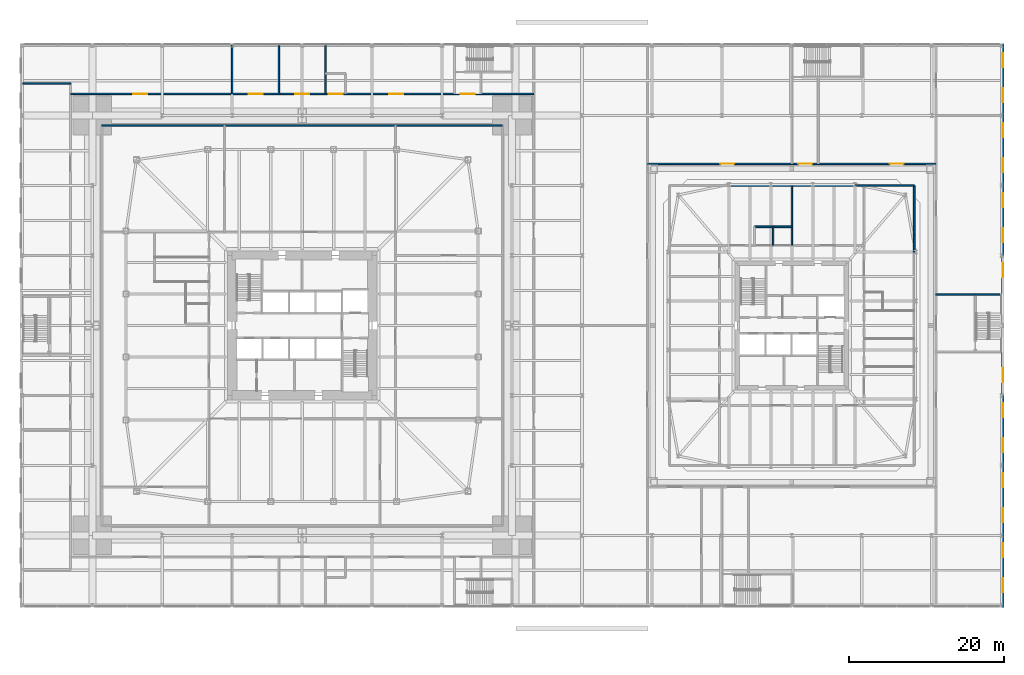
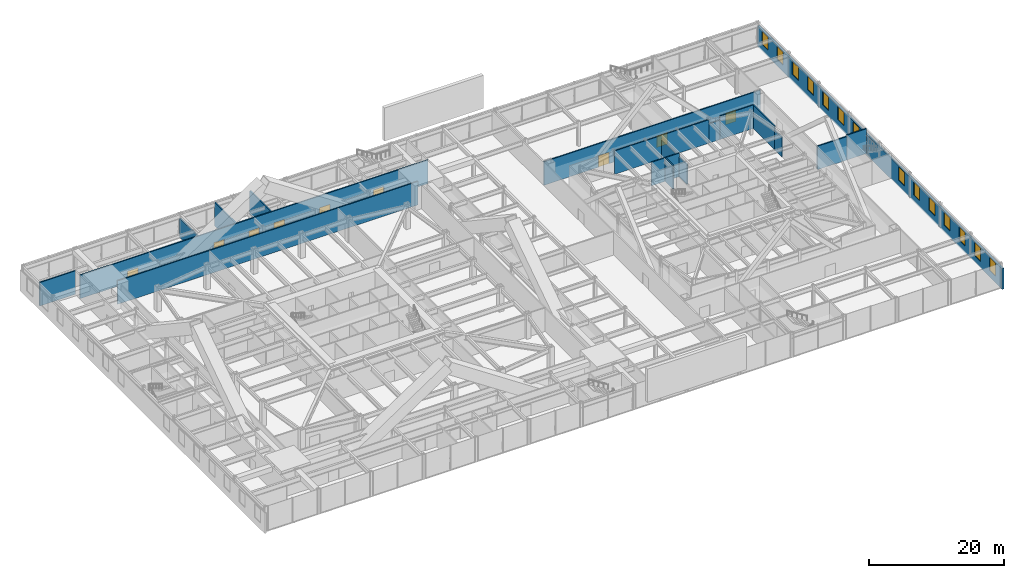
# One storey, part 27 of 32: 18 walls, 14 windows, 9 doors, 23 openings.
"""IFC4 building model written with IfcOpenShell, lengths in metres."""

from ifc_helpers import new_model, si_unit, direction, frame, frame_2d, origin, place, context, subcontext, project, spatial, rectangle, extrude, material, layer, layer_set, type_object, element, fill, save


model = new_model("IFC4")

# Units and contexts
model_context = context("Model", 3, precision=1e-05, world=origin(), true_north=direction((0.0, 1.0)))
body_context = subcontext(model_context, "Body", "Model", "MODEL_VIEW")
ifc_project = project(units=[si_unit("LENGTHUNIT", "METRE"), si_unit("AREAUNIT", "SQUARE_METRE"), si_unit("VOLUMEUNIT", "CUBIC_METRE"), si_unit("PLANEANGLEUNIT", "RADIAN"), si_unit("MASSUNIT", "GRAM", prefix="KILO")], contexts=[model_context])

# Site, building, storey
site_placement = place(None, origin())
site = spatial("IfcSite", under=ifc_project, at=site_placement, CompositionType="ELEMENT")
building_placement = place(site_placement, origin())
building = spatial("IfcBuilding", under=site, at=building_placement, Name="Iwan Alto Co-Living Towers", CompositionType="ELEMENT")
storey_placement = place(building_placement, frame((0.0, 0.0, 6.0)))
storey = spatial("IfcBuildingStorey", under=building, at=storey_placement, Name="L01", CompositionType="ELEMENT", Elevation=6.0)

# Wall, openings, windows
ifc_material_1 = material(Name="Fired clay brick facing", Category="masonry")
ifc_layer_1 = layer(ifc_material_1, 0.10009765625, Name="Brick facing", Category="Finish")
ifc_material_2 = material(Name="Concrete f'c 70 MPa", Category="concrete")
ifc_layer_2 = layer(ifc_material_2, 0.199951171875, Name="Reinforced concrete", Category="LoadBearing")
ifc_layer_set_1 = layer_set([ifc_layer_1, ifc_layer_2], Name="PODIUM BRICK WALL 300")
wall_type_1 = type_object("IfcWallType", Name="PODIUM BRICK WALL 300", PredefinedType="SOLIDWALL", material=ifc_layer_set_1)
wall_1_placement = place(storey_placement, frame((90.14990234375, -36.300048828125, -0.25), z_axis=(0.0, 0.0, 1.0), x_axis=(0.0, 1.0, 0.0)))
wall_1 = element("IfcWall", 1, at=wall_1_placement, inside=storey, type_object=wall_type_1, Name="Podium wall E L01", PredefinedType="SOLIDWALL", context=body_context, shape_type="SweptSolid", body=[
    extrude(rectangle(XDim=72.60009765625, YDim=0.300048828125, at=frame_2d((36.300048828125, 0.0))), origin(), (0.0, 0.0, 1.0), 3.73046875),
])
opening_1_placement = place(wall_1_placement, frame((2.0, 0.0, 1.14990234375)))
opening_1 = element("IfcOpeningElement", 2, at=opening_1_placement, cuts=wall_1, Name="Opening WN1", PredefinedType="OPENING", context=body_context, shape_type="SweptSolid", body=[
    extrude(rectangle(XDim=1.800048828125, YDim=2.39990234375, at=frame_2d((0.89990234375, 1.199951171875))), frame((0.0, 0.159912109375, 0.0), z_axis=(0.0, -1.0, 0.0), x_axis=(1.0, 0.0, 0.0)), (0.0, 0.0, 1.0), 0.320068359375),
])
opening_2_placement = place(wall_1_placement, frame((6.5, 0.0, 1.14990234375)))
opening_2 = element("IfcOpeningElement", 3, at=opening_2_placement, cuts=wall_1, Name="Opening WN1", PredefinedType="OPENING", context=body_context, shape_type="SweptSolid", body=[
    extrude(rectangle(XDim=1.800048828125, YDim=2.39990234375, at=frame_2d((0.89990234375, 1.199951171875))), frame((0.0, 0.159912109375, 0.0), z_axis=(0.0, -1.0, 0.0), x_axis=(1.0, 0.0, 0.0)), (0.0, 0.0, 1.0), 0.320068359375),
])
opening_3_placement = place(wall_1_placement, frame((11.0, 0.0, 1.14990234375)))
opening_3 = element("IfcOpeningElement", 4, at=opening_3_placement, cuts=wall_1, Name="Opening WN1", PredefinedType="OPENING", context=body_context, shape_type="SweptSolid", body=[
    extrude(rectangle(XDim=1.800048828125, YDim=2.39990234375, at=frame_2d((0.89990234375, 1.199951171875))), frame((0.0, 0.159912109375, 0.0), z_axis=(0.0, -1.0, 0.0), x_axis=(1.0, 0.0, 0.0)), (0.0, 0.0, 1.0), 0.320068359375),
])
opening_4_placement = place(wall_1_placement, frame((15.5, 0.0, 1.14990234375)))
opening_4 = element("IfcOpeningElement", 5, at=opening_4_placement, cuts=wall_1, Name="Opening WN1", PredefinedType="OPENING", context=body_context, shape_type="SweptSolid", body=[
    extrude(rectangle(XDim=1.800048828125, YDim=2.39990234375, at=frame_2d((0.89990234375, 1.199951171875))), frame((0.0, 0.159912109375, 0.0), z_axis=(0.0, -1.0, 0.0), x_axis=(1.0, 0.0, 0.0)), (0.0, 0.0, 1.0), 0.320068359375),
])
opening_5_placement = place(wall_1_placement, frame((20.0, 0.0, 1.14990234375)))
opening_5 = element("IfcOpeningElement", 6, at=opening_5_placement, cuts=wall_1, Name="Opening WN1", PredefinedType="OPENING", context=body_context, shape_type="SweptSolid", body=[
    extrude(rectangle(XDim=1.800048828125, YDim=2.39990234375, at=frame_2d((0.89990234375, 1.199951171875))), frame((0.0, 0.159912109375, 0.0), z_axis=(0.0, -1.0, 0.0), x_axis=(1.0, 0.0, 0.0)), (0.0, 0.0, 1.0), 0.320068359375),
])
opening_6_placement = place(wall_1_placement, frame((24.5, 0.0, 1.14990234375)))
opening_6 = element("IfcOpeningElement", 7, at=opening_6_placement, cuts=wall_1, Name="Opening WN1", PredefinedType="OPENING", context=body_context, shape_type="SweptSolid", body=[
    extrude(rectangle(XDim=1.800048828125, YDim=2.39990234375, at=frame_2d((0.89990234375, 1.199951171875))), frame((0.0, 0.159912109375, 0.0), z_axis=(0.0, -1.0, 0.0), x_axis=(1.0, 0.0, 0.0)), (0.0, 0.0, 1.0), 0.320068359375),
])
opening_7_placement = place(wall_1_placement, frame((29.0, 0.0, 1.14990234375)))
opening_7 = element("IfcOpeningElement", 8, at=opening_7_placement, cuts=wall_1, Name="Opening WN1", PredefinedType="OPENING", context=body_context, shape_type="SweptSolid", body=[
    extrude(rectangle(XDim=1.800048828125, YDim=2.39990234375, at=frame_2d((0.89990234375, 1.199951171875))), frame((0.0, 0.159912109375, 0.0), z_axis=(0.0, -1.0, 0.0), x_axis=(1.0, 0.0, 0.0)), (0.0, 0.0, 1.0), 0.320068359375),
])
opening_8_placement = place(wall_1_placement, frame((42.5, 0.0, 1.14990234375)))
opening_8 = element("IfcOpeningElement", 9, at=opening_8_placement, cuts=wall_1, Name="Opening WN1", PredefinedType="OPENING", context=body_context, shape_type="SweptSolid", body=[
    extrude(rectangle(XDim=1.800048828125, YDim=2.39990234375, at=frame_2d((0.89990234375, 1.199951171875))), frame((0.0, 0.159912109375, 0.0), z_axis=(0.0, -1.0, 0.0), x_axis=(1.0, 0.0, 0.0)), (0.0, 0.0, 1.0), 0.320068359375),
])
opening_9_placement = place(wall_1_placement, frame((47.0, 0.0, 1.14990234375)))
opening_9 = element("IfcOpeningElement", 10, at=opening_9_placement, cuts=wall_1, Name="Opening WN1", PredefinedType="OPENING", context=body_context, shape_type="SweptSolid", body=[
    extrude(rectangle(XDim=1.800048828125, YDim=2.39990234375, at=frame_2d((0.89990234375, 1.199951171875))), frame((0.0, 0.159912109375, 0.0), z_axis=(0.0, -1.0, 0.0), x_axis=(1.0, 0.0, 0.0)), (0.0, 0.0, 1.0), 0.320068359375),
])
opening_10_placement = place(wall_1_placement, frame((51.5, 0.0, 1.14990234375)))
opening_10 = element("IfcOpeningElement", 11, at=opening_10_placement, cuts=wall_1, Name="Opening WN1", PredefinedType="OPENING", context=body_context, shape_type="SweptSolid", body=[
    extrude(rectangle(XDim=1.800048828125, YDim=2.39990234375, at=frame_2d((0.89990234375, 1.199951171875))), frame((0.0, 0.159912109375, 0.0), z_axis=(0.0, -1.0, 0.0), x_axis=(1.0, 0.0, 0.0)), (0.0, 0.0, 1.0), 0.320068359375),
])
opening_11_placement = place(wall_1_placement, frame((56.0, 0.0, 1.14990234375)))
opening_11 = element("IfcOpeningElement", 12, at=opening_11_placement, cuts=wall_1, Name="Opening WN1", PredefinedType="OPENING", context=body_context, shape_type="SweptSolid", body=[
    extrude(rectangle(XDim=1.800048828125, YDim=2.39990234375, at=frame_2d((0.89990234375, 1.199951171875))), frame((0.0, 0.159912109375, 0.0), z_axis=(0.0, -1.0, 0.0), x_axis=(1.0, 0.0, 0.0)), (0.0, 0.0, 1.0), 0.320068359375),
])
opening_12_placement = place(wall_1_placement, frame((60.5, 0.0, 1.14990234375)))
opening_12 = element("IfcOpeningElement", 13, at=opening_12_placement, cuts=wall_1, Name="Opening WN1", PredefinedType="OPENING", context=body_context, shape_type="SweptSolid", body=[
    extrude(rectangle(XDim=1.800048828125, YDim=2.39990234375, at=frame_2d((0.89990234375, 1.199951171875))), frame((0.0, 0.159912109375, 0.0), z_axis=(0.0, -1.0, 0.0), x_axis=(1.0, 0.0, 0.0)), (0.0, 0.0, 1.0), 0.320068359375),
])
opening_13_placement = place(wall_1_placement, frame((65.0, 0.0, 1.14990234375)))
opening_13 = element("IfcOpeningElement", 14, at=opening_13_placement, cuts=wall_1, Name="Opening WN1", PredefinedType="OPENING", context=body_context, shape_type="SweptSolid", body=[
    extrude(rectangle(XDim=1.800048828125, YDim=2.39990234375, at=frame_2d((0.89990234375, 1.199951171875))), frame((0.0, 0.159912109375, 0.0), z_axis=(0.0, -1.0, 0.0), x_axis=(1.0, 0.0, 0.0)), (0.0, 0.0, 1.0), 0.320068359375),
])
opening_14_placement = place(wall_1_placement, frame((69.5, 0.0, 1.14990234375)))
opening_14 = element("IfcOpeningElement", 15, at=opening_14_placement, cuts=wall_1, Name="Opening WN1", PredefinedType="OPENING", context=body_context, shape_type="SweptSolid", body=[
    extrude(rectangle(XDim=1.800048828125, YDim=2.39990234375, at=frame_2d((0.89990234375, 1.199951171875))), frame((0.0, 0.159912109375, 0.0), z_axis=(0.0, -1.0, 0.0), x_axis=(1.0, 0.0, 0.0)), (0.0, 0.0, 1.0), 0.320068359375),
])
ifc_material_3 = material(Name="Bronze aluminium window frame", Category="aluminium")
window_type = type_object("IfcWindowType", Name="WN1 PODIUM WINDOW 1800X2400", PartitioningType="SINGLE_PANEL", PredefinedType="WINDOW", material=ifc_material_3)
window_1_placement = place(opening_1_placement, origin())
window_1 = element("IfcWindow", 16, at=window_1_placement, inside=storey, type_object=window_type, Name="Podium window", OverallHeight=2.39990234375, OverallWidth=1.800048828125, PartitioningType="SINGLE_PANEL", PredefinedType="WINDOW", context=body_context, shape_type="SweptSolid", body=[
    extrude(rectangle(XDim=1.800048828125, YDim=2.39990234375, at=frame_2d((0.89990234375, 1.199951171875))), frame((0.0, 0.030029296875, 0.0), z_axis=(0.0, -1.0, 0.0), x_axis=(1.0, 0.0, 0.0)), (0.0, 0.0, 1.0), 0.06005859375),
])
fill(opening_1, window_1)
window_2_placement = place(opening_2_placement, origin())
window_2 = element("IfcWindow", 17, at=window_2_placement, inside=storey, type_object=window_type, Name="Podium window", OverallHeight=2.39990234375, OverallWidth=1.800048828125, PartitioningType="SINGLE_PANEL", PredefinedType="WINDOW", context=body_context, shape_type="SweptSolid", body=[
    extrude(rectangle(XDim=1.800048828125, YDim=2.39990234375, at=frame_2d((0.89990234375, 1.199951171875))), frame((0.0, 0.030029296875, 0.0), z_axis=(0.0, -1.0, 0.0), x_axis=(1.0, 0.0, 0.0)), (0.0, 0.0, 1.0), 0.06005859375),
])
fill(opening_2, window_2)
window_3_placement = place(opening_3_placement, origin())
window_3 = element("IfcWindow", 18, at=window_3_placement, inside=storey, type_object=window_type, Name="Podium window", OverallHeight=2.39990234375, OverallWidth=1.800048828125, PartitioningType="SINGLE_PANEL", PredefinedType="WINDOW", context=body_context, shape_type="SweptSolid", body=[
    extrude(rectangle(XDim=1.800048828125, YDim=2.39990234375, at=frame_2d((0.89990234375, 1.199951171875))), frame((0.0, 0.030029296875, 0.0), z_axis=(0.0, -1.0, 0.0), x_axis=(1.0, 0.0, 0.0)), (0.0, 0.0, 1.0), 0.06005859375),
])
fill(opening_3, window_3)
window_4_placement = place(opening_4_placement, origin())
window_4 = element("IfcWindow", 19, at=window_4_placement, inside=storey, type_object=window_type, Name="Podium window", OverallHeight=2.39990234375, OverallWidth=1.800048828125, PartitioningType="SINGLE_PANEL", PredefinedType="WINDOW", context=body_context, shape_type="SweptSolid", body=[
    extrude(rectangle(XDim=1.800048828125, YDim=2.39990234375, at=frame_2d((0.89990234375, 1.199951171875))), frame((0.0, 0.030029296875, 0.0), z_axis=(0.0, -1.0, 0.0), x_axis=(1.0, 0.0, 0.0)), (0.0, 0.0, 1.0), 0.06005859375),
])
fill(opening_4, window_4)
window_5_placement = place(opening_5_placement, origin())
window_5 = element("IfcWindow", 20, at=window_5_placement, inside=storey, type_object=window_type, Name="Podium window", OverallHeight=2.39990234375, OverallWidth=1.800048828125, PartitioningType="SINGLE_PANEL", PredefinedType="WINDOW", context=body_context, shape_type="SweptSolid", body=[
    extrude(rectangle(XDim=1.800048828125, YDim=2.39990234375, at=frame_2d((0.89990234375, 1.199951171875))), frame((0.0, 0.030029296875, 0.0), z_axis=(0.0, -1.0, 0.0), x_axis=(1.0, 0.0, 0.0)), (0.0, 0.0, 1.0), 0.06005859375),
])
fill(opening_5, window_5)
window_6_placement = place(opening_6_placement, origin())
window_6 = element("IfcWindow", 21, at=window_6_placement, inside=storey, type_object=window_type, Name="Podium window", OverallHeight=2.39990234375, OverallWidth=1.800048828125, PartitioningType="SINGLE_PANEL", PredefinedType="WINDOW", context=body_context, shape_type="SweptSolid", body=[
    extrude(rectangle(XDim=1.800048828125, YDim=2.39990234375, at=frame_2d((0.89990234375, 1.199951171875))), frame((0.0, 0.030029296875, 0.0), z_axis=(0.0, -1.0, 0.0), x_axis=(1.0, 0.0, 0.0)), (0.0, 0.0, 1.0), 0.06005859375),
])
fill(opening_6, window_6)
window_7_placement = place(opening_7_placement, origin())
window_7 = element("IfcWindow", 22, at=window_7_placement, inside=storey, type_object=window_type, Name="Podium window", OverallHeight=2.39990234375, OverallWidth=1.800048828125, PartitioningType="SINGLE_PANEL", PredefinedType="WINDOW", context=body_context, shape_type="SweptSolid", body=[
    extrude(rectangle(XDim=1.800048828125, YDim=2.39990234375, at=frame_2d((0.89990234375, 1.199951171875))), frame((0.0, 0.030029296875, 0.0), z_axis=(0.0, -1.0, 0.0), x_axis=(1.0, 0.0, 0.0)), (0.0, 0.0, 1.0), 0.06005859375),
])
fill(opening_7, window_7)
window_8_placement = place(opening_8_placement, origin())
window_8 = element("IfcWindow", 23, at=window_8_placement, inside=storey, type_object=window_type, Name="Podium window", OverallHeight=2.39990234375, OverallWidth=1.800048828125, PartitioningType="SINGLE_PANEL", PredefinedType="WINDOW", context=body_context, shape_type="SweptSolid", body=[
    extrude(rectangle(XDim=1.800048828125, YDim=2.39990234375, at=frame_2d((0.89990234375, 1.199951171875))), frame((0.0, 0.030029296875, 0.0), z_axis=(0.0, -1.0, 0.0), x_axis=(1.0, 0.0, 0.0)), (0.0, 0.0, 1.0), 0.06005859375),
])
fill(opening_8, window_8)
window_9_placement = place(opening_9_placement, origin())
window_9 = element("IfcWindow", 24, at=window_9_placement, inside=storey, type_object=window_type, Name="Podium window", OverallHeight=2.39990234375, OverallWidth=1.800048828125, PartitioningType="SINGLE_PANEL", PredefinedType="WINDOW", context=body_context, shape_type="SweptSolid", body=[
    extrude(rectangle(XDim=1.800048828125, YDim=2.39990234375, at=frame_2d((0.89990234375, 1.199951171875))), frame((0.0, 0.030029296875, 0.0), z_axis=(0.0, -1.0, 0.0), x_axis=(1.0, 0.0, 0.0)), (0.0, 0.0, 1.0), 0.06005859375),
])
fill(opening_9, window_9)
window_10_placement = place(opening_10_placement, origin())
window_10 = element("IfcWindow", 25, at=window_10_placement, inside=storey, type_object=window_type, Name="Podium window", OverallHeight=2.39990234375, OverallWidth=1.800048828125, PartitioningType="SINGLE_PANEL", PredefinedType="WINDOW", context=body_context, shape_type="SweptSolid", body=[
    extrude(rectangle(XDim=1.800048828125, YDim=2.39990234375, at=frame_2d((0.89990234375, 1.199951171875))), frame((0.0, 0.030029296875, 0.0), z_axis=(0.0, -1.0, 0.0), x_axis=(1.0, 0.0, 0.0)), (0.0, 0.0, 1.0), 0.06005859375),
])
fill(opening_10, window_10)
window_11_placement = place(opening_11_placement, origin())
window_11 = element("IfcWindow", 26, at=window_11_placement, inside=storey, type_object=window_type, Name="Podium window", OverallHeight=2.39990234375, OverallWidth=1.800048828125, PartitioningType="SINGLE_PANEL", PredefinedType="WINDOW", context=body_context, shape_type="SweptSolid", body=[
    extrude(rectangle(XDim=1.800048828125, YDim=2.39990234375, at=frame_2d((0.89990234375, 1.199951171875))), frame((0.0, 0.030029296875, 0.0), z_axis=(0.0, -1.0, 0.0), x_axis=(1.0, 0.0, 0.0)), (0.0, 0.0, 1.0), 0.06005859375),
])
fill(opening_11, window_11)
window_12_placement = place(opening_12_placement, origin())
window_12 = element("IfcWindow", 27, at=window_12_placement, inside=storey, type_object=window_type, Name="Podium window", OverallHeight=2.39990234375, OverallWidth=1.800048828125, PartitioningType="SINGLE_PANEL", PredefinedType="WINDOW", context=body_context, shape_type="SweptSolid", body=[
    extrude(rectangle(XDim=1.800048828125, YDim=2.39990234375, at=frame_2d((0.89990234375, 1.199951171875))), frame((0.0, 0.030029296875, 0.0), z_axis=(0.0, -1.0, 0.0), x_axis=(1.0, 0.0, 0.0)), (0.0, 0.0, 1.0), 0.06005859375),
])
fill(opening_12, window_12)
window_13_placement = place(opening_13_placement, origin())
window_13 = element("IfcWindow", 28, at=window_13_placement, inside=storey, type_object=window_type, Name="Podium window", OverallHeight=2.39990234375, OverallWidth=1.800048828125, PartitioningType="SINGLE_PANEL", PredefinedType="WINDOW", context=body_context, shape_type="SweptSolid", body=[
    extrude(rectangle(XDim=1.800048828125, YDim=2.39990234375, at=frame_2d((0.89990234375, 1.199951171875))), frame((0.0, 0.030029296875, 0.0), z_axis=(0.0, -1.0, 0.0), x_axis=(1.0, 0.0, 0.0)), (0.0, 0.0, 1.0), 0.06005859375),
])
fill(opening_13, window_13)
window_14_placement = place(opening_14_placement, origin())
window_14 = element("IfcWindow", 29, at=window_14_placement, inside=storey, type_object=window_type, Name="Podium window", OverallHeight=2.39990234375, OverallWidth=1.800048828125, PartitioningType="SINGLE_PANEL", PredefinedType="WINDOW", context=body_context, shape_type="SweptSolid", body=[
    extrude(rectangle(XDim=1.800048828125, YDim=2.39990234375, at=frame_2d((0.89990234375, 1.199951171875))), frame((0.0, 0.030029296875, 0.0), z_axis=(0.0, -1.0, 0.0), x_axis=(1.0, 0.0, 0.0)), (0.0, 0.0, 1.0), 0.06005859375),
])
fill(opening_14, window_14)

# Walls
ifc_material_4 = material(Name="Concrete block masonry f*p 10 MPa", Category="masonry")
ifc_layer_3 = layer(ifc_material_4, 0.199951171875)
ifc_layer_set_2 = layer_set([ifc_layer_3], Name="PODIUM INTERNAL WALL 200")
wall_type_2 = type_object("IfcWallType", Name="PODIUM INTERNAL WALL 200", PredefinedType="SOLIDWALL", material=ifc_layer_set_2)
wall_2_placement = place(storey_placement, frame((81.550048828125, 4.0, 0.0), z_axis=(0.0, 0.0, 1.0), x_axis=(1.0, 0.0, 0.0)))
element("IfcWall", 30, at=wall_2_placement, inside=storey, type_object=wall_type_2, Name="Partition L01", PredefinedType="SOLIDWALL", context=body_context, shape_type="SweptSolid", body=[
    extrude(rectangle(XDim=5.050048828125, YDim=0.199951171875, at=frame_2d((2.52490234375, 0.0))), origin(), (0.0, 0.0, 1.0), 4.25),
])
wall_3_placement = place(storey_placement, frame((58.199951171875, 12.699951171875, 0.0), z_axis=(0.0, 0.0, 1.0), x_axis=(1.0, 0.0, 0.0)))
element("IfcWall", 31, at=wall_3_placement, inside=storey, type_object=wall_type_2, Name="Partition L01", PredefinedType="SOLIDWALL", context=body_context, shape_type="SweptSolid", body=[
    extrude(rectangle(XDim=4.800048828125, YDim=0.199951171875, at=frame_2d((2.39990234375, 0.0))), origin(), (0.0, 0.0, 1.0), 4.25),
])

# Wall, openings, doors
wall_4_placement = place(storey_placement, frame((44.449951171875, 20.800048828125, 0.0), z_axis=(0.0, 0.0, 1.0), x_axis=(1.0, 0.0, 0.0)))
wall_4 = element("IfcWall", 32, at=wall_4_placement, inside=storey, type_object=wall_type_2, Name="Partition L01", PredefinedType="SOLIDWALL", context=body_context, shape_type="SweptSolid", body=[
    extrude(rectangle(XDim=37.10009765625, YDim=0.199951171875, at=frame_2d((18.550048828125, 0.0))), origin(), (0.0, 0.0, 1.0), 4.25),
])
opening_15_placement = place(wall_4_placement, frame((9.324951171875, 0.0, 0.0)))
opening_15 = element("IfcOpeningElement", 33, at=opening_15_placement, cuts=wall_4, Name="Opening D9", PredefinedType="OPENING", context=body_context, shape_type="SweptSolid", body=[
    extrude(rectangle(XDim=1.800048828125, YDim=2.10009765625, at=frame_2d((0.89990234375, 1.050048828125))), frame((0.0, 0.10986328125, 0.0), z_axis=(0.0, -1.0, 0.0), x_axis=(1.0, 0.0, 0.0)), (0.0, 0.0, 1.0), 0.219970703125),
])
opening_16_placement = place(wall_4_placement, frame((31.125, 0.0, 0.0)))
opening_16 = element("IfcOpeningElement", 34, at=opening_16_placement, cuts=wall_4, Name="Opening D9", PredefinedType="OPENING", context=body_context, shape_type="SweptSolid", body=[
    extrude(rectangle(XDim=1.800048828125, YDim=2.10009765625, at=frame_2d((0.89990234375, 1.050048828125))), frame((0.0, 0.10986328125, 0.0), z_axis=(0.0, -1.0, 0.0), x_axis=(1.0, 0.0, 0.0)), (0.0, 0.0, 1.0), 0.219970703125),
])
opening_17_placement = place(wall_4_placement, frame((19.35009765625, 0.0, 0.0)))
opening_17 = element("IfcOpeningElement", 35, at=opening_17_placement, cuts=wall_4, Name="Opening D9", PredefinedType="OPENING", context=body_context, shape_type="SweptSolid", body=[
    extrude(rectangle(XDim=1.800048828125, YDim=2.10009765625, at=frame_2d((0.89990234375, 1.050048828125))), frame((0.0, 0.10986328125, 0.0), z_axis=(0.0, -1.0, 0.0), x_axis=(1.0, 0.0, 0.0)), (0.0, 0.0, 1.0), 0.219970703125),
])
ifc_material_5 = material(Name="Steel frame with timber leaf", Category="steel")
door_type = type_object("IfcDoorType", Name="LOUNGE DOOR FD30S 1800X2100", OperationType="DOUBLE_DOOR_SINGLE_SWING", PredefinedType="DOOR", material=ifc_material_5)
door_1_placement = place(opening_15_placement, origin())
door_1 = element("IfcDoor", 36, at=door_1_placement, inside=storey, type_object=door_type, Name="Children's play room door L01", OperationType="DOUBLE_DOOR_SINGLE_SWING", OverallHeight=2.10009765625, OverallWidth=1.800048828125, PredefinedType="DOOR", context=body_context, shape_type="SweptSolid", body=[
    extrude(rectangle(XDim=1.800048828125, YDim=2.10009765625, at=frame_2d((0.89990234375, 1.050048828125))), frame((0.0, 0.02490234375, 0.0), z_axis=(0.0, -1.0, 0.0), x_axis=(1.0, 0.0, 0.0)), (0.0, 0.0, 1.0), 0.050048828125),
])
fill(opening_15, door_1)
door_2_placement = place(opening_16_placement, origin())
door_2 = element("IfcDoor", 37, at=door_2_placement, inside=storey, type_object=door_type, Name="Fitness studio door L01", OperationType="DOUBLE_DOOR_SINGLE_SWING", OverallHeight=2.10009765625, OverallWidth=1.800048828125, PredefinedType="DOOR", context=body_context, shape_type="SweptSolid", body=[
    extrude(rectangle(XDim=1.800048828125, YDim=2.10009765625, at=frame_2d((0.89990234375, 1.050048828125))), frame((0.0, 0.02490234375, 0.0), z_axis=(0.0, -1.0, 0.0), x_axis=(1.0, 0.0, 0.0)), (0.0, 0.0, 1.0), 0.050048828125),
])
fill(opening_16, door_2)
door_3_placement = place(opening_17_placement, origin())
door_3 = element("IfcDoor", 38, at=door_3_placement, inside=storey, type_object=door_type, Name="Stair lobby door L01", OperationType="DOUBLE_DOOR_SINGLE_SWING", OverallHeight=2.10009765625, OverallWidth=1.800048828125, PredefinedType="DOOR", context=body_context, shape_type="SweptSolid", body=[
    extrude(rectangle(XDim=1.800048828125, YDim=2.10009765625, at=frame_2d((0.89990234375, 1.050048828125))), frame((0.0, 0.02490234375, 0.0), z_axis=(0.0, -1.0, 0.0), x_axis=(1.0, 0.0, 0.0)), (0.0, 0.0, 1.0), 0.050048828125),
])
fill(opening_17, door_3)

# Wall
wall_5_placement = place(storey_placement, frame((-25.75, 25.75, 0.0), z_axis=(0.0, 0.0, 1.0), x_axis=(1.0, 0.0, 0.0)))
element("IfcWall", 39, at=wall_5_placement, inside=storey, type_object=wall_type_2, Name="Partition L01", PredefinedType="SOLIDWALL", context=body_context, shape_type="SweptSolid", body=[
    extrude(rectangle(XDim=51.5, YDim=0.199951171875, at=frame_2d((25.75, 0.0))), origin(), (0.0, 0.0, 1.0), 4.25),
])

# Wall, openings, doors
wall_6_placement = place(storey_placement, frame((-29.800048828125, 29.800048828125, 0.0), z_axis=(0.0, 0.0, 1.0), x_axis=(1.0, 0.0, 0.0)))
wall_6 = element("IfcWall", 40, at=wall_6_placement, inside=storey, type_object=wall_type_2, Name="Partition L01", PredefinedType="SOLIDWALL", context=body_context, shape_type="SweptSolid", body=[
    extrude(rectangle(XDim=59.60009765625, YDim=0.199951171875, at=frame_2d((29.800048828125, 0.0))), origin(), (0.0, 0.0, 1.0), 4.25),
])
opening_18_placement = place(wall_6_placement, frame((8.10009765625, 0.0, 0.0)))
opening_18 = element("IfcOpeningElement", 41, at=opening_18_placement, cuts=wall_6, Name="Opening D9", PredefinedType="OPENING", context=body_context, shape_type="SweptSolid", body=[
    extrude(rectangle(XDim=1.800048828125, YDim=2.10009765625, at=frame_2d((0.89990234375, 1.050048828125))), frame((0.0, 0.10986328125, 0.0), z_axis=(0.0, -1.0, 0.0), x_axis=(1.0, 0.0, 0.0)), (0.0, 0.0, 1.0), 0.219970703125),
])
opening_19_placement = place(wall_6_placement, frame((22.89990234375, 0.0, 0.0)))
opening_19 = element("IfcOpeningElement", 42, at=opening_19_placement, cuts=wall_6, Name="Opening D9", PredefinedType="OPENING", context=body_context, shape_type="SweptSolid", body=[
    extrude(rectangle(XDim=1.800048828125, YDim=2.10009765625, at=frame_2d((0.89990234375, 1.050048828125))), frame((0.0, 0.10986328125, 0.0), z_axis=(0.0, -1.0, 0.0), x_axis=(1.0, 0.0, 0.0)), (0.0, 0.0, 1.0), 0.219970703125),
])
opening_20_placement = place(wall_6_placement, frame((28.89990234375, 0.0, 0.0)))
opening_20 = element("IfcOpeningElement", 43, at=opening_20_placement, cuts=wall_6, Name="Opening D9", PredefinedType="OPENING", context=body_context, shape_type="SweptSolid", body=[
    extrude(rectangle(XDim=1.800048828125, YDim=2.10009765625, at=frame_2d((0.89990234375, 1.050048828125))), frame((0.0, 0.10986328125, 0.0), z_axis=(0.0, -1.0, 0.0), x_axis=(1.0, 0.0, 0.0)), (0.0, 0.0, 1.0), 0.219970703125),
])
opening_21_placement = place(wall_6_placement, frame((33.199951171875, 0.0, 0.0)))
opening_21 = element("IfcOpeningElement", 44, at=opening_21_placement, cuts=wall_6, Name="Opening D9", PredefinedType="OPENING", context=body_context, shape_type="SweptSolid", body=[
    extrude(rectangle(XDim=1.800048828125, YDim=2.10009765625, at=frame_2d((0.89990234375, 1.050048828125))), frame((0.0, 0.10986328125, 0.0), z_axis=(0.0, -1.0, 0.0), x_axis=(1.0, 0.0, 0.0)), (0.0, 0.0, 1.0), 0.219970703125),
])
opening_22_placement = place(wall_6_placement, frame((41.0, 0.0, 0.0)))
opening_22 = element("IfcOpeningElement", 45, at=opening_22_placement, cuts=wall_6, Name="Opening D9", PredefinedType="OPENING", context=body_context, shape_type="SweptSolid", body=[
    extrude(rectangle(XDim=1.800048828125, YDim=2.10009765625, at=frame_2d((0.89990234375, 1.050048828125))), frame((0.0, 0.10986328125, 0.0), z_axis=(0.0, -1.0, 0.0), x_axis=(1.0, 0.0, 0.0)), (0.0, 0.0, 1.0), 0.219970703125),
])
opening_23_placement = place(wall_6_placement, frame((50.199951171875, 0.0, 0.0)))
opening_23 = element("IfcOpeningElement", 46, at=opening_23_placement, cuts=wall_6, Name="Opening D9", PredefinedType="OPENING", context=body_context, shape_type="SweptSolid", body=[
    extrude(rectangle(XDim=1.800048828125, YDim=2.10009765625, at=frame_2d((0.89990234375, 1.050048828125))), frame((0.0, 0.10986328125, 0.0), z_axis=(0.0, -1.0, 0.0), x_axis=(1.0, 0.0, 0.0)), (0.0, 0.0, 1.0), 0.219970703125),
])
door_4_placement = place(opening_18_placement, origin())
door_4 = element("IfcDoor", 47, at=door_4_placement, inside=storey, type_object=door_type, Name="Seminar room door L01", OperationType="DOUBLE_DOOR_SINGLE_SWING", OverallHeight=2.10009765625, OverallWidth=1.800048828125, PredefinedType="DOOR", context=body_context, shape_type="SweptSolid", body=[
    extrude(rectangle(XDim=1.800048828125, YDim=2.10009765625, at=frame_2d((0.89990234375, 1.050048828125))), frame((0.0, 0.02490234375, 0.0), z_axis=(0.0, -1.0, 0.0), x_axis=(1.0, 0.0, 0.0)), (0.0, 0.0, 1.0), 0.050048828125),
])
fill(opening_18, door_4)
door_5_placement = place(opening_19_placement, origin())
door_5 = element("IfcDoor", 48, at=door_5_placement, inside=storey, type_object=door_type, Name="Women's toilets door L01", OperationType="DOUBLE_DOOR_SINGLE_SWING", OverallHeight=2.10009765625, OverallWidth=1.800048828125, PredefinedType="DOOR", context=body_context, shape_type="SweptSolid", body=[
    extrude(rectangle(XDim=1.800048828125, YDim=2.10009765625, at=frame_2d((0.89990234375, 1.050048828125))), frame((0.0, 0.02490234375, 0.0), z_axis=(0.0, -1.0, 0.0), x_axis=(1.0, 0.0, 0.0)), (0.0, 0.0, 1.0), 0.050048828125),
])
fill(opening_19, door_5)
door_6_placement = place(opening_20_placement, origin())
door_6 = element("IfcDoor", 49, at=door_6_placement, inside=storey, type_object=door_type, Name="Men's toilets door L01", OperationType="DOUBLE_DOOR_SINGLE_SWING", OverallHeight=2.10009765625, OverallWidth=1.800048828125, PredefinedType="DOOR", context=body_context, shape_type="SweptSolid", body=[
    extrude(rectangle(XDim=1.800048828125, YDim=2.10009765625, at=frame_2d((0.89990234375, 1.050048828125))), frame((0.0, 0.02490234375, 0.0), z_axis=(0.0, -1.0, 0.0), x_axis=(1.0, 0.0, 0.0)), (0.0, 0.0, 1.0), 0.050048828125),
])
fill(opening_20, door_6)
door_7_placement = place(opening_21_placement, origin())
door_7 = element("IfcDoor", 50, at=door_7_placement, inside=storey, type_object=door_type, Name="Accessible WC door L01", OperationType="DOUBLE_DOOR_SINGLE_SWING", OverallHeight=2.10009765625, OverallWidth=1.800048828125, PredefinedType="DOOR", context=body_context, shape_type="SweptSolid", body=[
    extrude(rectangle(XDim=1.800048828125, YDim=2.10009765625, at=frame_2d((0.89990234375, 1.050048828125))), frame((0.0, 0.02490234375, 0.0), z_axis=(0.0, -1.0, 0.0), x_axis=(1.0, 0.0, 0.0)), (0.0, 0.0, 1.0), 0.050048828125),
])
fill(opening_21, door_7)
door_8_placement = place(opening_22_placement, origin())
door_8 = element("IfcDoor", 51, at=door_8_placement, inside=storey, type_object=door_type, Name="Prayer and quiet room door L01", OperationType="DOUBLE_DOOR_SINGLE_SWING", OverallHeight=2.10009765625, OverallWidth=1.800048828125, PredefinedType="DOOR", context=body_context, shape_type="SweptSolid", body=[
    extrude(rectangle(XDim=1.800048828125, YDim=2.10009765625, at=frame_2d((0.89990234375, 1.050048828125))), frame((0.0, 0.02490234375, 0.0), z_axis=(0.0, -1.0, 0.0), x_axis=(1.0, 0.0, 0.0)), (0.0, 0.0, 1.0), 0.050048828125),
])
fill(opening_22, door_8)
door_9_placement = place(opening_23_placement, origin())
door_9 = element("IfcDoor", 52, at=door_9_placement, inside=storey, type_object=door_type, Name="Stair lobby door L01", OperationType="DOUBLE_DOOR_SINGLE_SWING", OverallHeight=2.10009765625, OverallWidth=1.800048828125, PredefinedType="DOOR", context=body_context, shape_type="SweptSolid", body=[
    extrude(rectangle(XDim=1.800048828125, YDim=2.10009765625, at=frame_2d((0.89990234375, 1.050048828125))), frame((0.0, 0.02490234375, 0.0), z_axis=(0.0, -1.0, 0.0), x_axis=(1.0, 0.0, 0.0)), (0.0, 0.0, 1.0), 0.050048828125),
])
fill(opening_23, door_9)

# Walls
wall_7_placement = place(storey_placement, frame((-35.93994140625, 31.14990234375, 0.0), z_axis=(0.0, 0.0, 1.0), x_axis=(1.0, 0.0, 0.0)))
element("IfcWall", 53, at=wall_7_placement, inside=storey, type_object=wall_type_2, Name="Partition L01", PredefinedType="SOLIDWALL", context=body_context, shape_type="SweptSolid", body=[
    extrude(rectangle(XDim=6.139892578125, YDim=0.199951171875, at=frame_2d((3.06982421875, 0.0))), origin(), (0.0, 0.0, 1.0), 4.25),
])
wall_8_placement = place(storey_placement, frame((63.0, 10.300048828125, 0.0), z_axis=(0.0, 0.0, 1.0), x_axis=(0.0, 1.0, 0.0)))
element("IfcWall", 54, at=wall_8_placement, inside=storey, type_object=wall_type_2, Name="Partition L01", PredefinedType="SOLIDWALL", context=body_context, shape_type="SweptSolid", body=[
    extrude(rectangle(XDim=7.699951171875, YDim=0.199951171875, at=frame_2d((3.85009765625, 0.0))), origin(), (0.0, 0.0, 1.0), 3.566650390625),
])
wall_9_placement = place(storey_placement, frame((60.60009765625, 10.300048828125, 0.0), z_axis=(0.0, 0.0, 1.0), x_axis=(0.0, 1.0, 0.0)))
element("IfcWall", 55, at=wall_9_placement, inside=storey, type_object=wall_type_2, Name="Partition L01", PredefinedType="SOLIDWALL", context=body_context, shape_type="SweptSolid", body=[
    extrude(rectangle(XDim=2.39990234375, YDim=0.199951171875, at=frame_2d((1.199951171875, 0.0))), origin(), (0.0, 0.0, 1.0), 4.25),
])
for number, where, z_axis, x_axis, name in (
    (56, (3.0, 29.800048828125, 0.0), (0.0, 0.0, 1.0), (0.0, 1.0, 0.0), "Partition L01"),
    (57, (-3.0, 29.800048828125, 0.0), (0.0, 0.0, 1.0), (0.0, 1.0, 0.0), "Partition L01"),
):
    element("IfcWall", number, at=place(storey_placement, frame(where, z_axis=z_axis, x_axis=x_axis)), inside=storey, type_object=wall_type_2, Name=name, PredefinedType="SOLIDWALL", context=body_context, shape_type="SweptSolid", body=[
        extrude(rectangle(XDim=6.25, YDim=0.199951171875, at=frame_2d((3.125, 0.0))), origin(), (0.0, 0.0, 1.0), 4.25),
    ])
wall_10_placement = place(storey_placement, frame((-9.0, 29.800048828125, 0.0), z_axis=(0.0, 0.0, 1.0), x_axis=(0.0, 1.0, 0.0)))
element("IfcWall", 58, at=wall_10_placement, inside=storey, type_object=wall_type_2, Name="Partition L01", PredefinedType="SOLIDWALL", context=body_context, shape_type="SweptSolid", body=[
    extrude(rectangle(XDim=6.25, YDim=0.199951171875, at=frame_2d((3.125, 0.0))), origin(), (0.0, 0.0, 1.0), 3.48046875),
])
wall_11_placement = place(storey_placement, frame((54.927001953125, 18.0, 0.0), z_axis=(0.0, 0.0, 1.0), x_axis=(1.0, 0.0, 0.0)))
element("IfcWall", 59, at=wall_11_placement, inside=storey, type_object=wall_type_2, Name="Partition L01", PredefinedType="SOLIDWALL", context=body_context, shape_type="SweptSolid", body=[
    extrude(rectangle(XDim=16.14599609375, YDim=0.199951171875, at=frame_2d((8.072998046875, 0.0))), origin(), (0.0, 0.0, 1.0), 4.25),
])
wall_12_placement = place(storey_placement, frame((71.072998046875, 18.0, 0.0), z_axis=(0.0, 0.0, 1.0), x_axis=(1.0, 0.0, 0.0)))
element("IfcWall", 60, at=wall_12_placement, inside=storey, type_object=wall_type_2, Name="Partition L01", PredefinedType="SOLIDWALL", context=body_context, shape_type="SweptSolid", body=[
    extrude(rectangle(XDim=1.884033203125, YDim=0.199951171875, at=frame_2d((0.94189453125, 0.0))), origin(), (0.0, 0.0, 1.0), 3.488037109375),
])
wall_13_placement = place(storey_placement, frame((72.95703125, 18.0, 0.0), z_axis=(0.0, 0.0, 1.0), x_axis=(1.0, 0.0, 0.0)))
element("IfcWall", 61, at=wall_13_placement, inside=storey, type_object=wall_type_2, Name="Partition L01", PredefinedType="SOLIDWALL", context=body_context, shape_type="SweptSolid", body=[
    extrude(rectangle(XDim=5.79296875, YDim=0.199951171875, at=frame_2d((2.896484375, 0.0))), origin(), (0.0, 0.0, 1.0), 4.25),
])
wall_14_placement = place(storey_placement, frame((78.75, 9.427001953125, 0.0), z_axis=(0.0, 0.0, 1.0), x_axis=(0.0, 1.0, 0.0)))
element("IfcWall", 62, at=wall_14_placement, inside=storey, type_object=wall_type_2, Name="Partition L01", PredefinedType="SOLIDWALL", context=body_context, shape_type="SweptSolid", body=[
    extrude(rectangle(XDim=2.2119140625, YDim=0.199951171875, at=frame_2d((1.10595703125, 0.0))), origin(), (0.0, 0.0, 1.0), 3.488037109375),
])
wall_15_placement = place(storey_placement, frame((78.75, 11.638916015625, 0.0), z_axis=(0.0, 0.0, 1.0), x_axis=(0.0, 1.0, 0.0)))
element("IfcWall", 63, at=wall_15_placement, inside=storey, type_object=wall_type_2, Name="Partition L01", PredefinedType="SOLIDWALL", context=body_context, shape_type="SweptSolid", body=[
    extrude(rectangle(XDim=6.361083984375, YDim=0.199951171875, at=frame_2d((3.1806640625, 0.0))), origin(), (0.0, 0.0, 1.0), 4.25),
])
ifc_material_6 = material(Name="Concrete f'c 70 MPa", Category="concrete")
ifc_layer_4 = layer(ifc_material_6, 0.199951171875)
ifc_layer_set_3 = layer_set([ifc_layer_4], Name="SHAFT WALL 200")
wall_type_3 = type_object("IfcWallType", Name="SHAFT WALL 200", PredefinedType="SOLIDWALL", material=ifc_layer_set_3)
wall_16_placement = place(storey_placement, frame((86.60009765625, 4.0, 0.0), z_axis=(0.0, 0.0, 1.0), x_axis=(1.0, 0.0, 0.0)))
element("IfcWall", 64, at=wall_16_placement, inside=storey, type_object=wall_type_3, Name="Shaft wall L01", PredefinedType="SOLIDWALL", context=body_context, shape_type="SweptSolid", body=[
    extrude(rectangle(XDim=3.33984375, YDim=0.199951171875, at=frame_2d((1.669921875, 0.0))), origin(), (0.0, 0.0, 1.0), 4.5),
])

save(model, "model.ifc")
